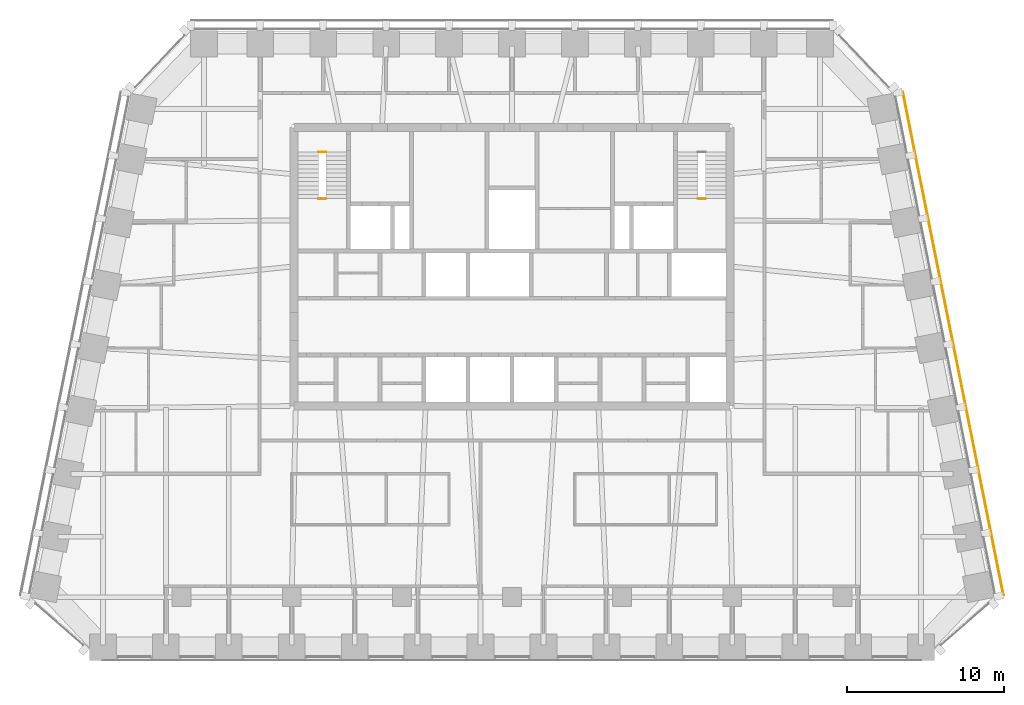
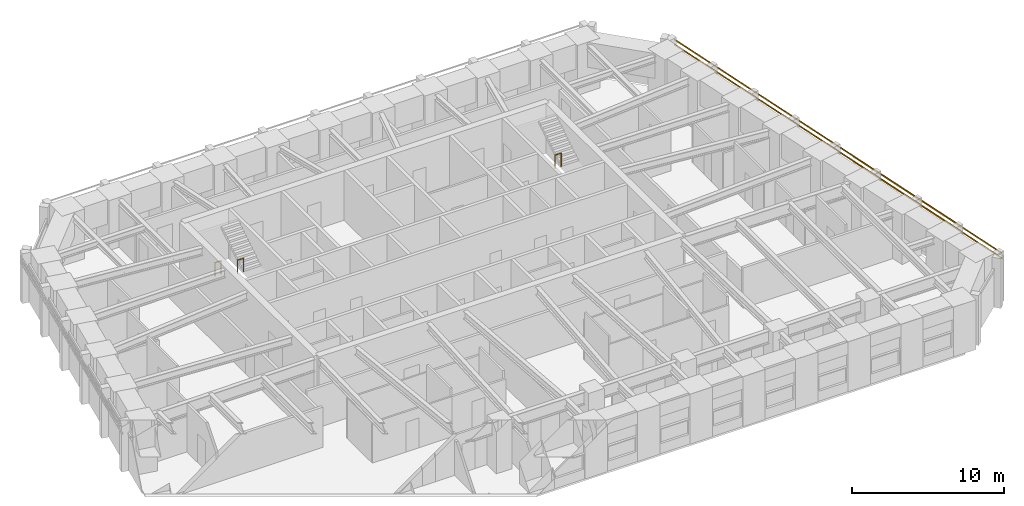
# One storey, part 10 of 11: 3 railings, 2 shading devices.
"""IFC4 building model written with IfcOpenShell, lengths in metres."""

from ifc_helpers import new_model, si_unit, direction, frame, origin, origin_2d, place, context, subcontext, project, spatial, rectangle, circle, extrude, material, material_profile, profile_set, type_object, element, save


model = new_model("IFC4")

# Units and contexts
model_context = context("Model", 3, precision=1e-05, world=origin(), true_north=direction((0.0, 1.0)))
body_context = subcontext(model_context, "Body", "Model", "MODEL_VIEW")
ifc_project = project(units=[si_unit("LENGTHUNIT", "METRE"), si_unit("AREAUNIT", "SQUARE_METRE"), si_unit("VOLUMEUNIT", "CUBIC_METRE"), si_unit("PLANEANGLEUNIT", "RADIAN"), si_unit("MASSUNIT", "GRAM", prefix="KILO")], contexts=[model_context])

# Site, building, storey
site_placement = place(None, origin())
site = spatial("IfcSite", under=ifc_project, at=site_placement, CompositionType="ELEMENT")
building_placement = place(site_placement, origin())
building = spatial("IfcBuilding", under=site, at=building_placement, Name="Isbrekke Arena Tower", CompositionType="ELEMENT")
storey_placement = place(building_placement, frame((0.0, 0.0, 276.0)))
storey = spatial("IfcBuildingStorey", under=building, at=storey_placement, Name="L64", CompositionType="ELEMENT", Elevation=276.0)

# Shading devices
ifc_material_1 = material(Name="Terracotta", Category="masonry")
ifc_material_profile = material_profile(ifc_material_1, rectangle(XDim=0.06005859375, YDim=0.06005859375, at=origin_2d()), Name="BAGUETTE 60X60")
ifc_profile_set = profile_set([ifc_material_profile], Name="Terracotta")
shading_device_type = type_object("IfcShadingDeviceType", Name="BG1 TERRACOTTA BAGUETTE 60 x 60", PredefinedType="USERDEFINED", material=ifc_profile_set)
for number, where, z_axis, x_axis, name in (
    (1, (31.2421875, -5.87158203125, 3.280029296875), (-0.196113257737, 0.980581251167, 0.0), (-0.980581251167, -0.196113257737, 0.0), "BG1 terracotta baguette E1 L64"),
    (2, (31.2421875, -5.87158203125, 3.679931640625), (-0.196113257737, 0.980581251167, 0.0), (-0.980581251167, -0.196113257737, 0.0), "BG1 terracotta baguette E2 L64"),
):
    element("IfcShadingDevice", number, at=place(storey_placement, frame(where, z_axis=z_axis, x_axis=x_axis)), inside=storey, type_object=shading_device_type, Name=name, ObjectType="TERRACOTTA BAGUETTE", PredefinedType="USERDEFINED", context=body_context, shape_type="SweptSolid", body=[
        extrude(rectangle(XDim=0.06005859375, YDim=0.06005859375, at=origin_2d()), origin(), (0.0, 0.0, 1.0), 32.6337890625),
    ])

# Railings
ifc_material_2 = material(Name="Steel stair guard, vertical bars, steel handrail", Category="steel")
railing_type = type_object("IfcRailingType", Name="GR3 STAIR WELL GUARD 1100", PredefinedType="GUARDRAIL", material=ifc_material_2)
for number, where, name in (
    (3, (-12.300048828125, 22.300048828125, 0.0), "GR3 stair well guard ST1 L64"),
    (4, (-12.300048828125, 19.330078125, 2.0), "GR3 stair well guard ST1 L64"),
    (5, (11.824951171875, 19.330078125, 2.0), "GR3 stair well guard ST2 L64"),
):
    element("IfcRailing", number, at=place(storey_placement, frame(where)), inside=storey, type_object=railing_type, Name=name, PredefinedType="GUARDRAIL", context=body_context, shape_type="SweptSolid", body=[
        extrude(circle(Radius=0.02392578125, at=origin_2d()), frame((0.0, 0.0, 1.076171875), z_axis=(1.0, 0.0, 0.0), x_axis=(0.0, 1.0, 0.0)), (0.0, 0.0, 1.0), 0.47509765625),
        extrude(circle(Radius=0.02099609375, at=origin_2d()), origin(), (0.0, 0.0, 1.0), 1.052001953125),
        extrude(circle(Radius=0.02099609375, at=origin_2d()), frame((0.47509765625, 0.0, 0.0)), (0.0, 0.0, 1.0), 1.052001953125),
    ])

save(model, "model.ifc")
